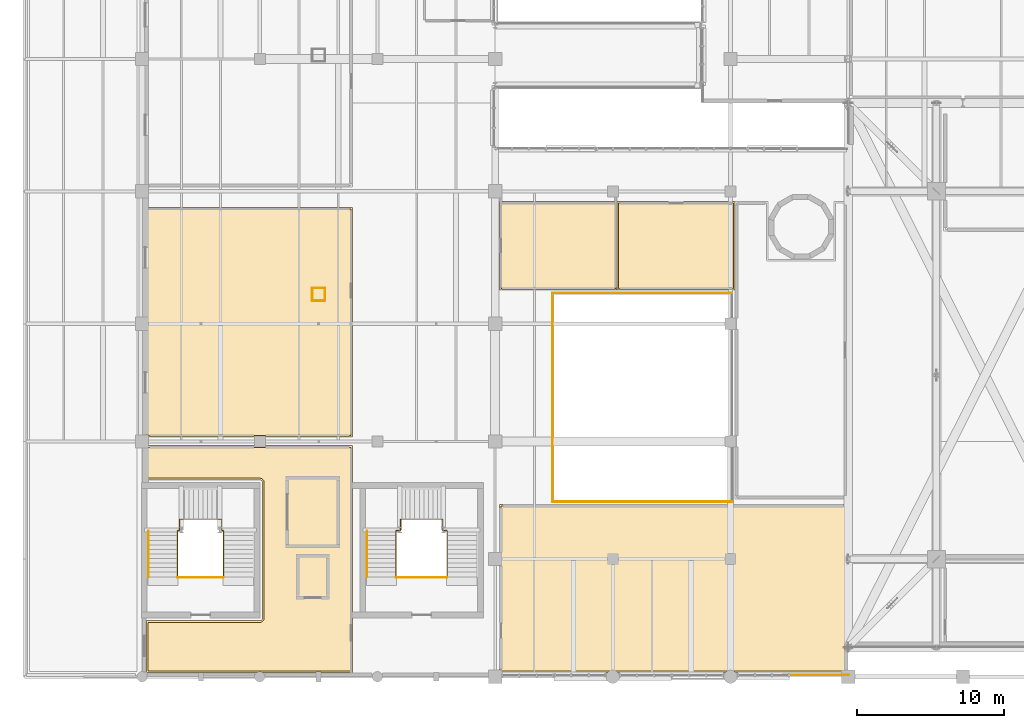
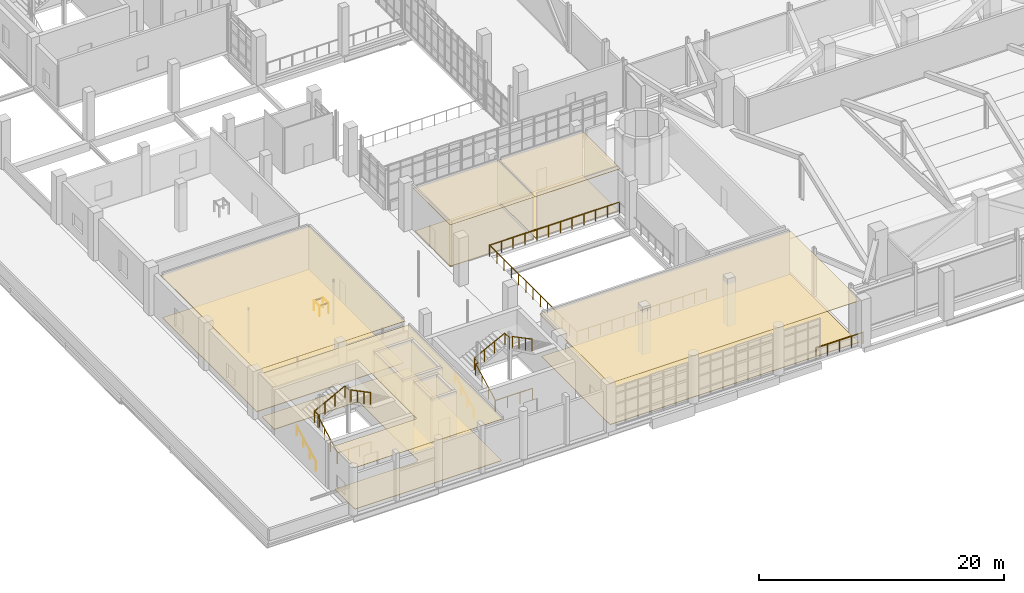
# One storey, part 121 of 127: 14 railings, 10 coverings.
"""IFC4 building model written with IfcOpenShell, lengths in metres."""

from ifc_helpers import new_model, si_unit, derived_unit, direction, frame, origin, origin_2d, place, context, subcontext, project, spatial, polyline, circle, outline, extrude, material, layer, layer_set, type_object, element, save


model = new_model("IFC4")

# Units and contexts
model_context = context("Model", 3, precision=1e-05, world=origin(), true_north=direction((0.0, 1.0)))
body_context = subcontext(model_context, "Body", "Model", "MODEL_VIEW")
ifc_project = project(units=[si_unit("LENGTHUNIT", "METRE"), si_unit("AREAUNIT", "SQUARE_METRE"), si_unit("VOLUMEUNIT", "CUBIC_METRE"), si_unit("PLANEANGLEUNIT", "RADIAN"), si_unit("MASSUNIT", "GRAM", prefix="KILO"), derived_unit("THERMALTRANSMITTANCEUNIT", [(si_unit("POWERUNIT", "WATT"), 1), (si_unit("LENGTHUNIT", "METRE"), -2), (si_unit("THERMODYNAMICTEMPERATUREUNIT", "KELVIN"), -1)])], contexts=[model_context])

# Site, building, storey
site_placement = place(None, origin())
site = spatial("IfcSite", under=ifc_project, at=site_placement, CompositionType="ELEMENT")
building_placement = place(site_placement, origin())
building = spatial("IfcBuilding", under=site, at=building_placement, Name="Nallur Shell Playhouse", CompositionType="ELEMENT")
storey_placement = place(building_placement, frame((0.0, 0.0, 5.39990234375)))
storey = spatial("IfcBuildingStorey", under=building, at=storey_placement, Name="L02", CompositionType="ELEMENT", Elevation=5.39990234375)

# Coverings
ifc_material_1 = material(Name="Micro-Perforated Teak Veneer Acoustic Baffle Ceiling")
ifc_layer_1 = layer(ifc_material_1, 0.044921875)
ifc_layer_set_1 = layer_set([ifc_layer_1], Name="Micro-Perforated Teak Veneer Acoustic Baffle Ceiling")
covering_type_1 = type_object("IfcCoveringType", Name="CV-CEIL-AC1", PredefinedType="CEILING", material=ifc_layer_set_1)
covering_1_placement = place(storey_placement, frame((0.0, 0.0, 4.205078125)))
element("IfcCovering", 1, at=covering_1_placement, inside=storey, type_object=covering_type_1, Name="Monsoon Atrium Stalls Mezzanine suspended acoustic ceiling", PredefinedType="CEILING", context=body_context, shape_type="SweptSolid", body=[
    extrude(outline(polyline([(63.909912109375, 19.7099609375), (63.909912109375, 8.2900390625), (40.2900390625, 8.2900390625), (40.2900390625, 19.7099609375), (63.909912109375, 19.7099609375)])), origin(), (0.0, 0.0, 1.0), 0.044921875),
])
covering_2_placement = place(storey_placement, frame((0.0, 0.0, 4.205078125)))
element("IfcCovering", 2, at=covering_2_placement, inside=storey, type_object=covering_type_1, Name="Stalls Level Female Restroom suspended acoustic ceiling", PredefinedType="CEILING", context=body_context, shape_type="SweptSolid", body=[
    extrude(outline(polyline([(56.31005859375, 40.31005859375), (56.31005859375, 34.2900390625), (48.2900390625, 34.2900390625), (48.2900390625, 40.31005859375), (56.31005859375, 40.31005859375)])), origin(), (0.0, 0.0, 1.0), 0.044921875),
])
ifc_material_2 = material(Name="Mineral-Fibre High-NRC Suspended Ceiling Tile")
ifc_layer_2 = layer(ifc_material_2, 0.030029296875)
ifc_layer_set_2 = layer_set([ifc_layer_2], Name="Mineral-Fibre High-NRC Suspended Ceiling Tile")
covering_type_2 = type_object("IfcCoveringType", Name="CV-CEIL-AC2", PredefinedType="CEILING", material=ifc_layer_set_2)
covering_3_placement = place(storey_placement, frame((0.0, 0.0, 4.22021484375)))
element("IfcCovering", 3, at=covering_3_placement, inside=storey, type_object=covering_type_2, Name="Ensemble Chorus Dressing Room A suspended acoustic ceiling", PredefinedType="CEILING", context=body_context, shape_type="SweptSolid", body=[
    extrude(outline(polyline([(30.31005859375, 39.909912109375), (30.31005859375, 24.2900390625), (16.2900390625, 24.2900390625), (16.2900390625, 39.909912109375), (30.31005859375, 39.909912109375)])), origin(), (0.0, 0.0, 1.0), 0.02978515625),
])
covering_4_placement = place(storey_placement, frame((0.0, 0.0, 4.22021484375)))
element("IfcCovering", 4, at=covering_4_placement, inside=storey, type_object=covering_type_2, Name="Wardrobe Sewing, Fitting & Wig Workshop suspended acoustic ceiling", PredefinedType="CEILING", context=body_context, shape_type="SweptSolid", body=[
    extrude(outline(polyline([(24.039306640625, 11.814208984375), (24.052490234375, 11.8173828125), (24.056884765625, 11.81884765625), (24.071044921875, 11.823974609375), (24.074951171875, 11.825439453125), (24.087646484375, 11.83154296875), (24.091552734375, 11.83349609375), (24.103515625, 11.8408203125), (24.107177734375, 11.84326171875), (24.11865234375, 11.851806640625), (24.122314453125, 11.854736328125), (24.1328125, 11.8642578125), (24.1357421875, 11.8671875), (24.145263671875, 11.877685546875), (24.148193359375, 11.88134765625), (24.15673828125, 11.892822265625), (24.1591796875, 11.896484375), (24.16650390625, 11.908447265625), (24.16845703125, 11.912353515625), (24.174560546875, 11.925048828125), (24.176025390625, 11.928955078125), (24.18115234375, 11.943115234375), (24.1826171875, 11.947509765625), (24.185791015625, 11.960693359375), (24.186767578125, 11.965087890625), (24.188720703125, 11.97900390625), (24.189208984375, 11.9833984375), (24.18994140625, 11.9990234375), (24.18994140625, 12.001220703125), (24.18994140625, 21.198974609375), (24.18994140625, 21.200927734375), (24.189208984375, 21.216796875), (24.188720703125, 21.22119140625), (24.186767578125, 21.23486328125), (24.185791015625, 21.2392578125), (24.1826171875, 21.252685546875), (24.18115234375, 21.2568359375), (24.176025390625, 21.27099609375), (24.174560546875, 21.27490234375), (24.16845703125, 21.28759765625), (24.16650390625, 21.29150390625), (24.1591796875, 21.303466796875), (24.15673828125, 21.30712890625), (24.148193359375, 21.318603515625), (24.145263671875, 21.322265625), (24.1357421875, 21.332763671875), (24.1328125, 21.335693359375), (24.122314453125, 21.34521484375), (24.11865234375, 21.34814453125), (24.107177734375, 21.356689453125), (24.103515625, 21.359130859375), (24.091552734375, 21.366455078125), (24.087646484375, 21.368408203125), (24.074951171875, 21.37451171875), (24.071044921875, 21.376220703125), (24.056884765625, 21.381103515625), (24.052490234375, 21.382568359375), (24.039306640625, 21.3857421875), (24.034912109375, 21.38671875), (24.02099609375, 21.388671875), (24.0166015625, 21.38916015625), (24.0009765625, 21.389892578125), (23.998779296875, 21.389892578125), (16.2900390625, 21.389892578125), (16.2900390625, 23.7099609375), (30.31005859375, 23.7099609375), (30.31005859375, 8.2900390625), (16.2900390625, 8.2900390625), (16.2900390625, 11.81005859375), (23.998779296875, 11.81005859375), (24.0009765625, 11.81005859375), (24.0166015625, 11.810791015625), (24.02099609375, 11.811279296875), (24.034912109375, 11.813232421875), (24.039306640625, 11.814208984375)])), origin(), (0.0, 0.0, 1.0), 0.02978515625),
])
covering_5_placement = place(storey_placement, frame((0.0, 0.0, 4.22021484375)))
element("IfcCovering", 5, at=covering_5_placement, inside=storey, type_object=covering_type_2, Name="Stalls Level Male Restroom suspended acoustic ceiling", PredefinedType="CEILING", context=body_context, shape_type="SweptSolid", body=[
    extrude(outline(polyline([(48.31005859375, 40.31005859375), (48.31005859375, 34.2900390625), (40.2900390625, 34.2900390625), (40.2900390625, 40.31005859375), (48.31005859375, 40.31005859375)])), origin(), (0.0, 0.0, 1.0), 0.02978515625),
])
ifc_material_3 = material(Name="Polished Chettinad Oxide & White Marble Terrazzo Flooring", Category="masonry")
ifc_layer_3 = layer(ifc_material_3, 0.050048828125)
ifc_layer_set_3 = layer_set([ifc_layer_3], Name="Polished Chettinad Oxide & White Marble Terrazzo Flooring")
covering_type_3 = type_object("IfcCoveringType", Name="CV-FLOR-TERRAZZO", PredefinedType="FLOORING", material=ifc_layer_set_3)
covering_6_placement = place(storey_placement, origin())
element("IfcCovering", 6, at=covering_6_placement, inside=storey, type_object=covering_type_3, Name="Monsoon Atrium Stalls Mezzanine floor finish", PredefinedType="FLOORING", context=body_context, shape_type="SweptSolid", body=[
    extrude(outline(polyline([(63.800048828125, 19.60009765625), (63.800048828125, 8.39990234375), (40.39990234375, 8.39990234375), (40.39990234375, 19.60009765625), (63.800048828125, 19.60009765625)])), origin(), (0.0, 0.0, 1.0), 0.050048828125),
])
covering_7_placement = place(storey_placement, origin())
element("IfcCovering", 7, at=covering_7_placement, inside=storey, type_object=covering_type_3, Name="Ensemble Chorus Dressing Room A floor finish", PredefinedType="FLOORING", context=body_context, shape_type="SweptSolid", body=[
    extrude(outline(polyline([(30.199951171875, 39.800048828125), (30.199951171875, 24.39990234375), (16.39990234375, 24.39990234375), (16.39990234375, 39.800048828125), (30.199951171875, 39.800048828125)])), origin(), (0.0, 0.0, 1.0), 0.050048828125),
])
covering_8_placement = place(storey_placement, origin())
element("IfcCovering", 8, at=covering_8_placement, inside=storey, type_object=covering_type_3, Name="Wardrobe Sewing, Fitting & Wig Workshop floor finish", PredefinedType="FLOORING", context=body_context, shape_type="SweptSolid", body=[
    extrude(outline(polyline([(24.063232421875, 11.706787109375), (24.08251953125, 11.711669921875), (24.091796875, 11.714599609375), (24.110107421875, 11.72119140625), (24.119384765625, 11.724853515625), (24.136962890625, 11.733154296875), (24.145751953125, 11.73779296875), (24.16259765625, 11.747802734375), (24.170654296875, 11.75341796875), (24.186279296875, 11.76513671875), (24.194091796875, 11.771240234375), (24.20849609375, 11.784423828125), (24.215576171875, 11.79150390625), (24.228759765625, 11.805908203125), (24.23486328125, 11.813720703125), (24.24658203125, 11.829345703125), (24.252197265625, 11.83740234375), (24.26220703125, 11.854248046875), (24.266845703125, 11.863037109375), (24.275146484375, 11.880615234375), (24.27880859375, 11.889892578125), (24.285400390625, 11.908203125), (24.288330078125, 11.91748046875), (24.293212890625, 11.936767578125), (24.295166015625, 11.9462890625), (24.298095703125, 11.9658203125), (24.298828125, 11.9755859375), (24.2998046875, 11.9951171875), (24.300048828125, 12.0), (24.300048828125, 21.199951171875), (24.2998046875, 21.204833984375), (24.298828125, 21.224609375), (24.298095703125, 21.234375), (24.295166015625, 21.253662109375), (24.293212890625, 21.26318359375), (24.288330078125, 21.282470703125), (24.285400390625, 21.291748046875), (24.27880859375, 21.310302734375), (24.275146484375, 21.3193359375), (24.266845703125, 21.3369140625), (24.26220703125, 21.345703125), (24.252197265625, 21.362548828125), (24.24658203125, 21.37060546875), (24.23486328125, 21.386474609375), (24.228759765625, 21.39404296875), (24.215576171875, 21.40869140625), (24.20849609375, 21.41552734375), (24.194091796875, 21.4287109375), (24.186279296875, 21.434814453125), (24.170654296875, 21.446533203125), (24.16259765625, 21.4521484375), (24.145751953125, 21.462158203125), (24.136962890625, 21.466796875), (24.119384765625, 21.47509765625), (24.110107421875, 21.47900390625), (24.091796875, 21.485595703125), (24.08251953125, 21.48828125), (24.063232421875, 21.4931640625), (24.0537109375, 21.4951171875), (24.0341796875, 21.498046875), (24.0244140625, 21.498779296875), (24.0048828125, 21.5), (24.0, 21.5), (16.39990234375, 21.5), (16.39990234375, 23.60009765625), (30.199951171875, 23.60009765625), (30.199951171875, 8.39990234375), (16.39990234375, 8.39990234375), (16.39990234375, 11.699951171875), (24.0, 11.699951171875), (24.0048828125, 11.7001953125), (24.0244140625, 11.701171875), (24.0341796875, 11.701904296875), (24.0537109375, 11.704833984375), (24.063232421875, 11.706787109375)])), origin(), (0.0, 0.0, 1.0), 0.050048828125),
])
covering_9_placement = place(storey_placement, origin())
element("IfcCovering", 9, at=covering_9_placement, inside=storey, type_object=covering_type_3, Name="Stalls Level Male Restroom floor finish", PredefinedType="FLOORING", context=body_context, shape_type="SweptSolid", body=[
    extrude(outline(polyline([(48.199951171875, 40.199951171875), (48.199951171875, 34.39990234375), (40.39990234375, 34.39990234375), (40.39990234375, 40.199951171875), (48.199951171875, 40.199951171875)])), origin(), (0.0, 0.0, 1.0), 0.050048828125),
])
covering_10_placement = place(storey_placement, origin())
element("IfcCovering", 10, at=covering_10_placement, inside=storey, type_object=covering_type_3, Name="Stalls Level Female Restroom floor finish", PredefinedType="FLOORING", context=body_context, shape_type="SweptSolid", body=[
    extrude(outline(polyline([(56.199951171875, 40.199951171875), (56.199951171875, 34.39990234375), (48.39990234375, 34.39990234375), (48.39990234375, 40.199951171875), (56.199951171875, 40.199951171875)])), origin(), (0.0, 0.0, 1.0), 0.050048828125),
])

# Railings
ifc_material_4 = material(Name="Bronze-Anodised Foyer Void Acoustic Glass Guardrail", Category="glass")
railing_type_1 = type_object("IfcRailingType", Name="RL-BAL-1100", PredefinedType="BALUSTRADE", material=ifc_material_4)
railing_1_placement = place(storey_placement, frame((43.89990234375, 19.89990234375, 0.0)))
element("IfcRailing", 11, at=railing_1_placement, inside=storey, type_object=railing_type_1, Name="L02 interior void balustrade 001", PredefinedType="BALUSTRADE", context=body_context, shape_type="SweptSolid", body=[
    extrude(circle(Radius=0.02392578125, at=origin_2d()), frame((0.0, 0.0, 1.09619140625), z_axis=(1.0, 0.0, 0.0), x_axis=(0.0, 1.0, 0.0)), (0.0, 0.0, 1.0), 12.2001953125),
    extrude(circle(Radius=0.02099609375, at=origin_2d()), origin(), (0.0, 0.0, 1.0), 1.072021484375),
    extrude(circle(Radius=0.02099609375, at=origin_2d()), frame((1.109130859375, 0.0, 0.0)), (0.0, 0.0, 1.0), 1.072021484375),
    extrude(circle(Radius=0.02099609375, at=origin_2d()), frame((2.21826171875, 0.0, 0.0)), (0.0, 0.0, 1.0), 1.072021484375),
    extrude(circle(Radius=0.02099609375, at=origin_2d()), frame((3.327392578125, 0.0, 0.0)), (0.0, 0.0, 1.0), 1.072021484375),
    extrude(circle(Radius=0.02099609375, at=origin_2d()), frame((4.4365234375, 0.0, 0.0)), (0.0, 0.0, 1.0), 1.072021484375),
    extrude(circle(Radius=0.02099609375, at=origin_2d()), frame((5.545654296875, 0.0, 0.0)), (0.0, 0.0, 1.0), 1.072021484375),
    extrude(circle(Radius=0.02099609375, at=origin_2d()), frame((6.654541015625, 0.0, 0.0)), (0.0, 0.0, 1.0), 1.072021484375),
    extrude(circle(Radius=0.02099609375, at=origin_2d()), frame((7.763671875, 0.0, 0.0)), (0.0, 0.0, 1.0), 1.072021484375),
    extrude(circle(Radius=0.02099609375, at=origin_2d()), frame((8.872802734375, 0.0, 0.0)), (0.0, 0.0, 1.0), 1.072021484375),
    extrude(circle(Radius=0.02099609375, at=origin_2d()), frame((9.98193359375, 0.0, 0.0)), (0.0, 0.0, 1.0), 1.072021484375),
    extrude(circle(Radius=0.02099609375, at=origin_2d()), frame((11.091064453125, 0.0, 0.0)), (0.0, 0.0, 1.0), 1.072021484375),
    extrude(circle(Radius=0.02099609375, at=origin_2d()), frame((12.2001953125, 0.0, 0.0)), (0.0, 0.0, 1.0), 1.072021484375),
])
railing_2_placement = place(storey_placement, frame((56.10009765625, 34.10009765625, 0.0)))
element("IfcRailing", 12, at=railing_2_placement, inside=storey, type_object=railing_type_1, Name="L02 interior void balustrade 003", PredefinedType="BALUSTRADE", context=body_context, shape_type="SweptSolid", body=[
    extrude(circle(Radius=0.02392578125, at=origin_2d()), frame((0.0, 0.0, 1.09619140625), z_axis=(-1.0, 0.0, 0.0), x_axis=(0.0, -1.0, 0.0)), (0.0, 0.0, 1.0), 12.2001953125),
    extrude(circle(Radius=0.02099609375, at=origin_2d()), origin(), (0.0, 0.0, 1.0), 1.072021484375),
    extrude(circle(Radius=0.02099609375, at=origin_2d()), frame((-1.109130859375, 0.0, 0.0)), (0.0, 0.0, 1.0), 1.072021484375),
    extrude(circle(Radius=0.02099609375, at=origin_2d()), frame((-2.21826171875, 0.0, 0.0)), (0.0, 0.0, 1.0), 1.072021484375),
    extrude(circle(Radius=0.02099609375, at=origin_2d()), frame((-3.327392578125, 0.0, 0.0)), (0.0, 0.0, 1.0), 1.072021484375),
    extrude(circle(Radius=0.02099609375, at=origin_2d()), frame((-4.4365234375, 0.0, 0.0)), (0.0, 0.0, 1.0), 1.072021484375),
    extrude(circle(Radius=0.02099609375, at=origin_2d()), frame((-5.545654296875, 0.0, 0.0)), (0.0, 0.0, 1.0), 1.072021484375),
    extrude(circle(Radius=0.02099609375, at=origin_2d()), frame((-6.654541015625, 0.0, 0.0)), (0.0, 0.0, 1.0), 1.072021484375),
    extrude(circle(Radius=0.02099609375, at=origin_2d()), frame((-7.763671875, 0.0, 0.0)), (0.0, 0.0, 1.0), 1.072021484375),
    extrude(circle(Radius=0.02099609375, at=origin_2d()), frame((-8.872802734375, 0.0, 0.0)), (0.0, 0.0, 1.0), 1.072021484375),
    extrude(circle(Radius=0.02099609375, at=origin_2d()), frame((-9.98193359375, 0.0, 0.0)), (0.0, 0.0, 1.0), 1.072021484375),
    extrude(circle(Radius=0.02099609375, at=origin_2d()), frame((-11.091064453125, 0.0, 0.0)), (0.0, 0.0, 1.0), 1.072021484375),
    extrude(circle(Radius=0.02099609375, at=origin_2d()), frame((-12.2001953125, 0.0, 0.0)), (0.0, 0.0, 1.0), 1.072021484375),
])
railing_3_placement = place(storey_placement, frame((43.89990234375, 34.10009765625, 0.0)))
element("IfcRailing", 13, at=railing_3_placement, inside=storey, type_object=railing_type_1, Name="L02 interior void balustrade 004", PredefinedType="BALUSTRADE", context=body_context, shape_type="SweptSolid", body=[
    extrude(circle(Radius=0.02392578125, at=origin_2d()), frame((0.0, 0.0, 1.09619140625), z_axis=(0.0, -1.0, 0.0), x_axis=(1.0, 0.0, 0.0)), (0.0, 0.0, 1.0), 14.2001953125),
    extrude(circle(Radius=0.02099609375, at=origin_2d()), origin(), (0.0, 0.0, 1.0), 1.072021484375),
    extrude(circle(Radius=0.02099609375, at=origin_2d()), frame((0.0, -1.183349609375, 0.0)), (0.0, 0.0, 1.0), 1.072021484375),
    extrude(circle(Radius=0.02099609375, at=origin_2d()), frame((0.0, -2.36669921875, 0.0)), (0.0, 0.0, 1.0), 1.072021484375),
    extrude(circle(Radius=0.02099609375, at=origin_2d()), frame((0.0, -3.550048828125, 0.0)), (0.0, 0.0, 1.0), 1.072021484375),
    extrude(circle(Radius=0.02099609375, at=origin_2d()), frame((0.0, -4.7333984375, 0.0)), (0.0, 0.0, 1.0), 1.072021484375),
    extrude(circle(Radius=0.02099609375, at=origin_2d()), frame((0.0, -5.916748046875, 0.0)), (0.0, 0.0, 1.0), 1.072021484375),
    extrude(circle(Radius=0.02099609375, at=origin_2d()), frame((0.0, -7.10009765625, 0.0)), (0.0, 0.0, 1.0), 1.072021484375),
    extrude(circle(Radius=0.02099609375, at=origin_2d()), frame((0.0, -8.283447265625, 0.0)), (0.0, 0.0, 1.0), 1.072021484375),
    extrude(circle(Radius=0.02099609375, at=origin_2d()), frame((0.0, -9.466796875, 0.0)), (0.0, 0.0, 1.0), 1.072021484375),
    extrude(circle(Radius=0.02099609375, at=origin_2d()), frame((0.0, -10.650146484375, 0.0)), (0.0, 0.0, 1.0), 1.072021484375),
    extrude(circle(Radius=0.02099609375, at=origin_2d()), frame((0.0, -11.83349609375, 0.0)), (0.0, 0.0, 1.0), 1.072021484375),
    extrude(circle(Radius=0.02099609375, at=origin_2d()), frame((0.0, -13.016845703125, 0.0)), (0.0, 0.0, 1.0), 1.072021484375),
    extrude(circle(Radius=0.02099609375, at=origin_2d()), frame((0.0, -14.2001953125, 0.0)), (0.0, 0.0, 1.0), 1.072021484375),
])
ifc_material_5 = material(Name="Brushed Stainless Steel 316 Balustrade & Toughened Infill", Category="steel")
railing_type_2 = type_object("IfcRailingType", Name="RL-GUARD-1100", PredefinedType="BALUSTRADE", material=ifc_material_5)
railing_4_placement = place(storey_placement, frame((33.260009765625, 14.800048828125, 0.0)))
element("IfcRailing", 14, at=railing_4_placement, inside=storey, type_object=railing_type_2, Name="Stair ST-01-L02 inner open-well guard", PredefinedType="BALUSTRADE", context=body_context, shape_type="SweptSolid", body=[
    extrude(circle(Radius=0.02392578125, at=origin_2d()), frame((0.0, 0.0, 1.15576171875), z_axis=(0.0, 0.885200240898, 0.465210203579), x_axis=(-1.0, 0.0, 0.0)), (0.0, 0.0, 1.0), 3.547119140625),
    extrude(circle(Radius=0.02392578125, at=origin_2d()), frame((0.0, 3.139892578125, 2.80615234375), z_axis=(1.0, 0.0, 0.0), x_axis=(0.0, 1.0, 0.0)), (0.0, 0.0, 1.0), 0.304931640625),
    extrude(circle(Radius=0.02392578125, at=origin_2d()), frame((0.304931640625, 3.139892578125, 2.80615234375), z_axis=(0.0, 1.0, 0.0), x_axis=(-1.0, 0.0, 0.0)), (0.0, 0.0, 1.0), 0.760009765625),
    extrude(circle(Radius=0.02392578125, at=origin_2d()), frame((0.304931640625, 3.89990234375, 2.80615234375), z_axis=(0.886262018935, 0.0, 0.463184233101), x_axis=(0.0, 1.0, 0.0)), (0.0, 0.0, 1.0), 3.238525390625),
    extrude(circle(Radius=0.02392578125, at=origin_2d()), frame((3.175048828125, 3.89990234375, 4.30615234375), z_axis=(0.0, -1.0, 0.0), x_axis=(1.0, 0.0, 0.0)), (0.0, 0.0, 1.0), 0.760009765625),
    extrude(circle(Radius=0.02392578125, at=origin_2d()), frame((3.175048828125, 3.139892578125, 4.30615234375), z_axis=(1.0, 0.0, 0.0), x_axis=(0.0, 1.0, 0.0)), (0.0, 0.0, 1.0), 0.304931640625),
    extrude(circle(Radius=0.02392578125, at=origin_2d()), frame((3.47998046875, 3.139892578125, 4.30615234375), z_axis=(0.0, -0.885228583928, 0.465156268578), x_axis=(1.0, 0.0, 0.0)), (0.0, 0.0, 1.0), 3.546875),
    extrude(circle(Radius=0.02099609375, at=origin_2d()), origin(), (0.0, 0.0, 1.0), 1.1318359375),
    extrude(circle(Radius=0.02099609375, at=origin_2d()), frame((0.0, 1.046630859375, 0.550048828125)), (0.0, 0.0, 1.0), 1.1318359375),
    extrude(circle(Radius=0.02099609375, at=origin_2d()), frame((0.0, 2.09326171875, 1.10009765625)), (0.0, 0.0, 1.0), 1.1318359375),
    extrude(circle(Radius=0.02099609375, at=origin_2d()), frame((0.0, 3.139892578125, 1.650146484375)), (0.0, 0.0, 1.0), 1.1318359375),
    extrude(circle(Radius=0.02099609375, at=origin_2d()), frame((0.304931640625, 3.139892578125, 1.650146484375)), (0.0, 0.0, 1.0), 1.1318359375),
    extrude(circle(Radius=0.02099609375, at=origin_2d()), frame((0.304931640625, 3.89990234375, 1.650146484375)), (0.0, 0.0, 1.0), 1.1318359375),
    extrude(circle(Radius=0.02099609375, at=origin_2d()), frame((1.26171875, 3.89990234375, 2.150146484375)), (0.0, 0.0, 1.0), 1.1318359375),
    extrude(circle(Radius=0.02099609375, at=origin_2d()), frame((2.21826171875, 3.89990234375, 2.650146484375)), (0.0, 0.0, 1.0), 1.1318359375),
    extrude(circle(Radius=0.02099609375, at=origin_2d()), frame((3.175048828125, 3.89990234375, 3.150146484375)), (0.0, 0.0, 1.0), 1.1318359375),
    extrude(circle(Radius=0.02099609375, at=origin_2d()), frame((3.175048828125, 3.139892578125, 3.150146484375)), (0.0, 0.0, 1.0), 1.1318359375),
    extrude(circle(Radius=0.02099609375, at=origin_2d()), frame((3.47998046875, 3.139892578125, 3.150146484375)), (0.0, 0.0, 1.0), 1.1318359375),
    extrude(circle(Radius=0.02099609375, at=origin_2d()), frame((3.47998046875, 2.09326171875, 3.7001953125)), (0.0, 0.0, 1.0), 1.1318359375),
    extrude(circle(Radius=0.02099609375, at=origin_2d()), frame((3.47998046875, 1.046630859375, 4.25)), (0.0, 0.0, 1.0), 1.1318359375),
    extrude(circle(Radius=0.02099609375, at=origin_2d()), frame((3.47998046875, 0.0, 4.800048828125)), (0.0, 0.0, 1.0), 1.1318359375),
])
railing_5_placement = place(storey_placement, frame((33.260009765625, 14.739990234375, 0.0)))
element("IfcRailing", 15, at=railing_5_placement, inside=storey, type_object=railing_type_2, Name="Stair ST-01-L02 floor-well guard", PredefinedType="BALUSTRADE", context=body_context, shape_type="SweptSolid", body=[
    extrude(circle(Radius=0.02392578125, at=origin_2d()), frame((0.0, 0.0, 1.09619140625), z_axis=(1.0, 0.0, 0.0), x_axis=(0.0, 1.0, 0.0)), (0.0, 0.0, 1.0), 3.47998046875),
    extrude(circle(Radius=0.02099609375, at=origin_2d()), origin(), (0.0, 0.0, 1.0), 1.072021484375),
    extrude(circle(Radius=0.02099609375, at=origin_2d()), frame((1.159912109375, 0.0, 0.0)), (0.0, 0.0, 1.0), 1.072021484375),
    extrude(circle(Radius=0.02099609375, at=origin_2d()), frame((2.320068359375, 0.0, 0.0)), (0.0, 0.0, 1.0), 1.072021484375),
    extrude(circle(Radius=0.02099609375, at=origin_2d()), frame((3.47998046875, 0.0, 0.0)), (0.0, 0.0, 1.0), 1.072021484375),
])
railing_6_placement = place(storey_placement, frame((18.409912109375, 14.800048828125, 0.0)))
element("IfcRailing", 16, at=railing_6_placement, inside=storey, type_object=railing_type_2, Name="Stair ST-07-L02 inner open-well guard", PredefinedType="BALUSTRADE", context=body_context, shape_type="SweptSolid", body=[
    extrude(circle(Radius=0.02392578125, at=origin_2d()), frame((0.0, 0.0, 1.15576171875), z_axis=(0.0, 0.885200240898, 0.465210203579), x_axis=(-1.0, 0.0, 0.0)), (0.0, 0.0, 1.0), 3.547119140625),
    extrude(circle(Radius=0.02392578125, at=origin_2d()), frame((0.0, 3.139892578125, 2.80615234375), z_axis=(1.0, 0.0, 0.0), x_axis=(0.0, 1.0, 0.0)), (0.0, 0.0, 1.0), 0.130126953125),
    extrude(circle(Radius=0.02392578125, at=origin_2d()), frame((0.130126953125, 3.139892578125, 2.80615234375), z_axis=(0.0, 1.0, 0.0), x_axis=(-1.0, 0.0, 0.0)), (0.0, 0.0, 1.0), 0.760009765625),
    extrude(circle(Radius=0.02392578125, at=origin_2d()), frame((0.130126953125, 3.89990234375, 2.80615234375), z_axis=(0.886245843587, 0.0, 0.46321518188), x_axis=(0.0, 1.0, 0.0)), (0.0, 0.0, 1.0), 3.23828125),
    extrude(circle(Radius=0.02392578125, at=origin_2d()), frame((3.0, 3.89990234375, 4.30615234375), z_axis=(0.0, -1.0, 0.0), x_axis=(1.0, 0.0, 0.0)), (0.0, 0.0, 1.0), 0.760009765625),
    extrude(circle(Radius=0.02392578125, at=origin_2d()), frame((3.0, 3.139892578125, 4.30615234375), z_axis=(1.0, 0.0, 0.0), x_axis=(0.0, 1.0, 0.0)), (0.0, 0.0, 1.0), 0.130126953125),
    extrude(circle(Radius=0.02392578125, at=origin_2d()), frame((3.130126953125, 3.139892578125, 4.30615234375), z_axis=(0.0, -0.885228583928, 0.465156268578), x_axis=(1.0, 0.0, 0.0)), (0.0, 0.0, 1.0), 3.546875),
    extrude(circle(Radius=0.02099609375, at=origin_2d()), origin(), (0.0, 0.0, 1.0), 1.1318359375),
    extrude(circle(Radius=0.02099609375, at=origin_2d()), frame((0.0, 1.046630859375, 0.550048828125)), (0.0, 0.0, 1.0), 1.1318359375),
    extrude(circle(Radius=0.02099609375, at=origin_2d()), frame((0.0, 2.09326171875, 1.10009765625)), (0.0, 0.0, 1.0), 1.1318359375),
    extrude(circle(Radius=0.02099609375, at=origin_2d()), frame((0.0, 3.139892578125, 1.650146484375)), (0.0, 0.0, 1.0), 1.1318359375),
    extrude(circle(Radius=0.02099609375, at=origin_2d()), frame((0.130126953125, 3.139892578125, 1.650146484375)), (0.0, 0.0, 1.0), 1.1318359375),
    extrude(circle(Radius=0.02099609375, at=origin_2d()), frame((0.130126953125, 3.89990234375, 1.650146484375)), (0.0, 0.0, 1.0), 1.1318359375),
    extrude(circle(Radius=0.02099609375, at=origin_2d()), frame((1.086669921875, 3.89990234375, 2.150146484375)), (0.0, 0.0, 1.0), 1.1318359375),
    extrude(circle(Radius=0.02099609375, at=origin_2d()), frame((2.04345703125, 3.89990234375, 2.650146484375)), (0.0, 0.0, 1.0), 1.1318359375),
    extrude(circle(Radius=0.02099609375, at=origin_2d()), frame((3.0, 3.89990234375, 3.150146484375)), (0.0, 0.0, 1.0), 1.1318359375),
    extrude(circle(Radius=0.02099609375, at=origin_2d()), frame((3.0, 3.139892578125, 3.150146484375)), (0.0, 0.0, 1.0), 1.1318359375),
    extrude(circle(Radius=0.02099609375, at=origin_2d()), frame((3.130126953125, 3.139892578125, 3.150146484375)), (0.0, 0.0, 1.0), 1.1318359375),
    extrude(circle(Radius=0.02099609375, at=origin_2d()), frame((3.130126953125, 2.09326171875, 3.7001953125)), (0.0, 0.0, 1.0), 1.1318359375),
    extrude(circle(Radius=0.02099609375, at=origin_2d()), frame((3.130126953125, 1.046630859375, 4.25)), (0.0, 0.0, 1.0), 1.1318359375),
    extrude(circle(Radius=0.02099609375, at=origin_2d()), frame((3.130126953125, 0.0, 4.800048828125)), (0.0, 0.0, 1.0), 1.1318359375),
])
railing_7_placement = place(storey_placement, frame((18.409912109375, 14.739990234375, 0.0)))
element("IfcRailing", 17, at=railing_7_placement, inside=storey, type_object=railing_type_2, Name="Stair ST-07-L02 floor-well guard", PredefinedType="BALUSTRADE", context=body_context, shape_type="SweptSolid", body=[
    extrude(circle(Radius=0.02392578125, at=origin_2d()), frame((0.0, 0.0, 1.09619140625), z_axis=(1.0, 0.0, 0.0), x_axis=(0.0, 1.0, 0.0)), (0.0, 0.0, 1.0), 3.130126953125),
    extrude(circle(Radius=0.02099609375, at=origin_2d()), origin(), (0.0, 0.0, 1.0), 1.072021484375),
    extrude(circle(Radius=0.02099609375, at=origin_2d()), frame((1.04345703125, 0.0, 0.0)), (0.0, 0.0, 1.0), 1.072021484375),
    extrude(circle(Radius=0.02099609375, at=origin_2d()), frame((2.086669921875, 0.0, 0.0)), (0.0, 0.0, 1.0), 1.072021484375),
    extrude(circle(Radius=0.02099609375, at=origin_2d()), frame((3.130126953125, 0.0, 0.0)), (0.0, 0.0, 1.0), 1.072021484375),
])
railing_8_placement = place(storey_placement, frame((27.570068359375, 33.570068359375, 0.0)))
element("IfcRailing", 18, at=railing_8_placement, inside=storey, type_object=railing_type_2, Name="L02 service riser edge guard 067", PredefinedType="BALUSTRADE", context=body_context, shape_type="SweptSolid", body=[
    extrude(circle(Radius=0.02392578125, at=origin_2d()), frame((0.0, 0.0, 1.09619140625), z_axis=(1.0, 0.0, 0.0), x_axis=(0.0, 1.0, 0.0)), (0.0, 0.0, 1.0), 0.85986328125),
    extrude(circle(Radius=0.02099609375, at=origin_2d()), origin(), (0.0, 0.0, 1.0), 1.072021484375),
    extrude(circle(Radius=0.02099609375, at=origin_2d()), frame((0.85986328125, 0.0, 0.0)), (0.0, 0.0, 1.0), 1.072021484375),
])
railing_9_placement = place(storey_placement, frame((28.429931640625, 33.570068359375, 0.0)))
element("IfcRailing", 19, at=railing_9_placement, inside=storey, type_object=railing_type_2, Name="L02 service riser edge guard 068", PredefinedType="BALUSTRADE", context=body_context, shape_type="SweptSolid", body=[
    extrude(circle(Radius=0.02392578125, at=origin_2d()), frame((0.0, 0.0, 1.09619140625), z_axis=(0.0, 1.0, 0.0), x_axis=(-1.0, 0.0, 0.0)), (0.0, 0.0, 1.0), 0.85986328125),
    extrude(circle(Radius=0.02099609375, at=origin_2d()), origin(), (0.0, 0.0, 1.0), 1.072021484375),
    extrude(circle(Radius=0.02099609375, at=origin_2d()), frame((0.0, 0.85986328125, 0.0)), (0.0, 0.0, 1.0), 1.072021484375),
])
railing_10_placement = place(storey_placement, frame((28.429931640625, 34.429931640625, 0.0)))
element("IfcRailing", 20, at=railing_10_placement, inside=storey, type_object=railing_type_2, Name="L02 service riser edge guard 069", PredefinedType="BALUSTRADE", context=body_context, shape_type="SweptSolid", body=[
    extrude(circle(Radius=0.02392578125, at=origin_2d()), frame((0.0, 0.0, 1.09619140625), z_axis=(-1.0, 0.0, 0.0), x_axis=(0.0, -1.0, 0.0)), (0.0, 0.0, 1.0), 0.85986328125),
    extrude(circle(Radius=0.02099609375, at=origin_2d()), origin(), (0.0, 0.0, 1.0), 1.072021484375),
    extrude(circle(Radius=0.02099609375, at=origin_2d()), frame((-0.85986328125, 0.0, 0.0)), (0.0, 0.0, 1.0), 1.072021484375),
])
railing_11_placement = place(storey_placement, frame((27.570068359375, 34.429931640625, 0.0)))
element("IfcRailing", 21, at=railing_11_placement, inside=storey, type_object=railing_type_2, Name="L02 service riser edge guard 070", PredefinedType="BALUSTRADE", context=body_context, shape_type="SweptSolid", body=[
    extrude(circle(Radius=0.02392578125, at=origin_2d()), frame((0.0, 0.0, 1.09619140625), z_axis=(0.0, -1.0, 0.0), x_axis=(1.0, 0.0, 0.0)), (0.0, 0.0, 1.0), 0.85986328125),
    extrude(circle(Radius=0.02099609375, at=origin_2d()), origin(), (0.0, 0.0, 1.0), 1.072021484375),
    extrude(circle(Radius=0.02099609375, at=origin_2d()), frame((0.0, -0.85986328125, 0.0)), (0.0, 0.0, 1.0), 1.072021484375),
])
railing_12_placement = place(storey_placement, frame((59.60009765625, 8.1201171875, 0.0)))
element("IfcRailing", 22, at=railing_12_placement, inside=storey, type_object=railing_type_2, Name="L02 South Foyer corner balustrade", PredefinedType="BALUSTRADE", context=body_context, shape_type="SweptSolid", body=[
    extrude(circle(Radius=0.02392578125, at=origin_2d()), frame((0.0, 0.0, 1.1259765625), z_axis=(1.0, 0.0, 0.0), x_axis=(0.0, 1.0, 0.0)), (0.0, 0.0, 1.0), 4.449951171875),
    extrude(circle(Radius=0.02099609375, at=origin_2d()), origin(), (0.0, 0.0, 1.0), 1.101806640625),
    extrude(circle(Radius=0.02099609375, at=origin_2d()), frame((1.112548828125, 0.0, 0.0)), (0.0, 0.0, 1.0), 1.101806640625),
    extrude(circle(Radius=0.02099609375, at=origin_2d()), frame((2.22509765625, 0.0, 0.0)), (0.0, 0.0, 1.0), 1.101806640625),
    extrude(circle(Radius=0.02099609375, at=origin_2d()), frame((3.33740234375, 0.0, 0.0)), (0.0, 0.0, 1.0), 1.101806640625),
    extrude(circle(Radius=0.02099609375, at=origin_2d()), frame((4.449951171875, 0.0, 0.0)), (0.0, 0.0, 1.0), 1.101806640625),
])
ifc_material_6 = material(Name="Stainless Steel 316 Continuous Tubular Handrail", Category="steel")
railing_type_3 = type_object("IfcRailingType", Name="RL-HANDRAIL-900", PredefinedType="HANDRAIL", material=ifc_material_6)
for number, where, name in (
    (23, (31.280029296875, 14.800048828125, 0.0), "Stair ST-01-L02 outer handrail F1"),
    (24, (16.429931640625, 14.800048828125, 0.0), "Stair ST-07-L02 outer handrail F1"),
):
    element("IfcRailing", number, at=place(storey_placement, frame(where)), inside=storey, type_object=railing_type_3, Name=name, PredefinedType="HANDRAIL", context=body_context, shape_type="SweptSolid", body=[
        extrude(circle(Radius=0.02392578125, at=origin_2d()), frame((0.0, 0.0, 0.89599609375), z_axis=(0.0, 0.882720248289, 0.469898886208), x_axis=(-1.0, 0.0, 0.0)), (0.0, 0.0, 1.0), 3.51171875),
        extrude(circle(Radius=0.02099609375, at=origin_2d()), origin(), (0.0, 0.0, 1.0), 0.871826171875),
        extrude(circle(Radius=0.02099609375, at=origin_2d()), frame((0.0, 1.033203125, 0.550048828125)), (0.0, 0.0, 1.0), 0.871826171875),
        extrude(circle(Radius=0.02099609375, at=origin_2d()), frame((0.0, 2.066650390625, 1.10009765625)), (0.0, 0.0, 1.0), 0.871826171875),
        extrude(circle(Radius=0.02099609375, at=origin_2d()), frame((0.0, 3.099853515625, 1.650146484375)), (0.0, 0.0, 1.0), 0.871826171875),
    ])

save(model, "model.ifc")
